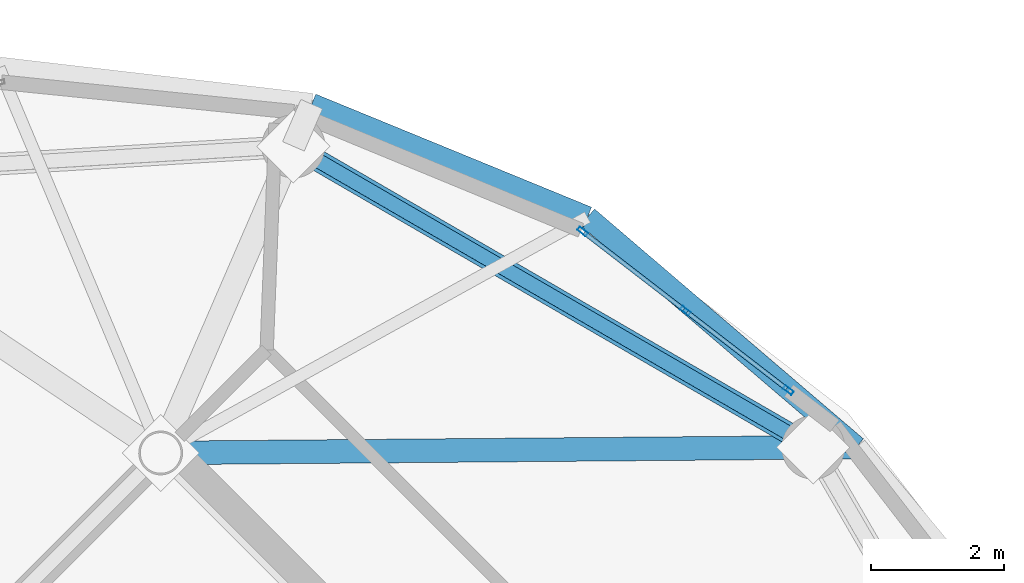
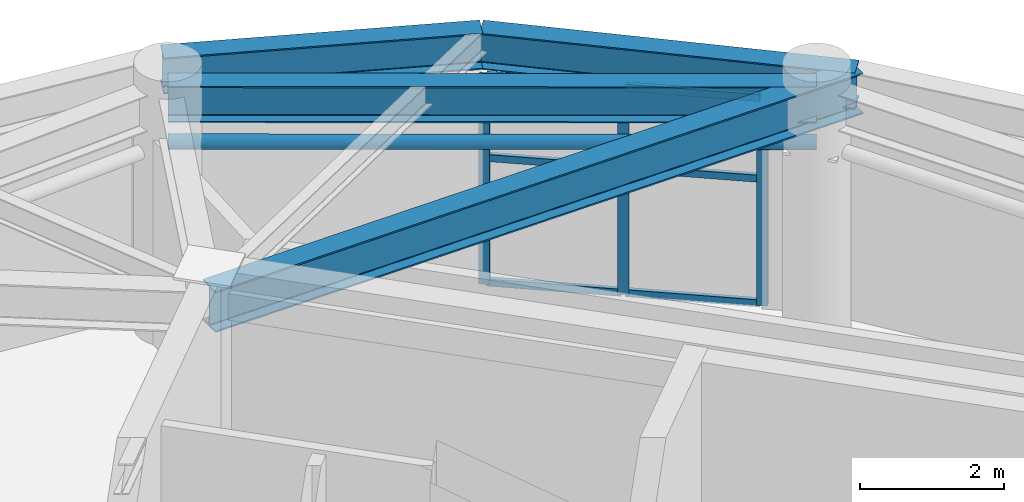
# One storey, part 18 of 26: 10 members, 4 beams, 1 element without a shape of its own.
"""IFC4 building model written with IfcOpenShell, lengths in metres."""

from ifc_helpers import new_model, si_unit, direction, frame, origin, origin_2d, place, context, subcontext, project, spatial, hollow_rectangle, hollow_circle, i_section, extrude, material, layer, layer_set, material_profile, profile_set, type_object, element, aggregate, save


model = new_model("IFC4")

# Units and contexts
model_context = context("Model", 3, precision=1e-05, world=origin(), true_north=direction((0.0, 1.0)))
body_context = subcontext(model_context, "Body", "Model", "MODEL_VIEW")
ifc_project = project(units=[si_unit("LENGTHUNIT", "METRE"), si_unit("AREAUNIT", "SQUARE_METRE"), si_unit("VOLUMEUNIT", "CUBIC_METRE"), si_unit("PLANEANGLEUNIT", "RADIAN"), si_unit("MASSUNIT", "GRAM", prefix="KILO")], contexts=[model_context])

# Site, building, storey
site_placement = place(None, origin())
site = spatial("IfcSite", under=ifc_project, at=site_placement, CompositionType="ELEMENT")
building_placement = place(site_placement, origin())
building = spatial("IfcBuilding", under=site, at=building_placement, Name="Cununo Teusaquillo Station Towers", CompositionType="ELEMENT")
storey_placement = place(building_placement, frame((0.0, 0.0, 240.330078125)))
storey = spatial("IfcBuildingStorey", under=building, at=storey_placement, Name="L76", CompositionType="ELEMENT", Elevation=240.330078125)

# Beams
ifc_material_1 = material(Name="Steel ASTM A572 Grade 50", Category="steel")
ifc_material_profile_1 = material_profile(ifc_material_1, i_section(OverallWidth=0.35498046875, OverallDepth=0.696044921875, WebThickness=0.015380859375, FlangeThickness=0.02490234375, FilletRadius=0.01806640625, at=origin_2d()), Name="W27X146")
ifc_profile_set_1 = profile_set([ifc_material_profile_1], Name="Steel ASTM A572 Grade 50")
beam_type_1 = type_object("IfcBeamType", Name="BM-PLNT-G1", PredefinedType="BEAM", material=ifc_profile_set_1)
beam_1_placement = place(storey_placement, frame((56.29443359375, 33.024169921875, 3.851806640625), z_axis=(0.999964325253, 0.008446787673, 0.0), x_axis=(-0.008446787673, 0.999964325253, 0.0)))
element("IfcBeam", 1, at=beam_1_placement, inside=storey, type_object=beam_type_1, Name="L76 Tower B Continuous Overhanging Radial Girder 01", PredefinedType="BEAM", context=body_context, shape_type="SweptSolid", body=[
    extrude(i_section(OverallWidth=0.35498046875, OverallDepth=0.696044921875, WebThickness=0.015380859375, FlangeThickness=0.02490234375, FilletRadius=0.01806640625, at=origin_2d()), origin(), (0.0, 0.0, 1.0), 10.463134765625),
])
ifc_material_2 = material(Name="Steel ASTM A572 Grade 50", Category="steel")
ifc_material_profile_2 = material_profile(ifc_material_2, i_section(OverallWidth=0.324951171875, OverallDepth=0.615966796875, WebThickness=0.013916015625, FlangeThickness=0.021484375, FilletRadius=0.01611328125, at=origin_2d()), Name="W24X117")
ifc_profile_set_2 = profile_set([ifc_material_profile_2], Name="Steel ASTM A572 Grade 50")
beam_type_2 = type_object("IfcBeamType", Name="BM-PLNT-G2", PredefinedType="BEAM", material=ifc_profile_set_2)
beam_2_placement = place(storey_placement, frame((66.10693359375, 33.10693359375, 3.891845703125), z_axis=(-0.865267103202, 0.501311121078, 0.0), x_axis=(-0.501311121078, -0.865267103202, 0.0)))
element("IfcBeam", 2, at=beam_2_placement, inside=storey, type_object=beam_type_2, Name="L76 Tower B Structural Column Ring Girder 01", PredefinedType="BEAM", context=body_context, shape_type="SweptSolid", body=[
    extrude(i_section(OverallWidth=0.324951171875, OverallDepth=0.615966796875, WebThickness=0.013916015625, FlangeThickness=0.021484375, FilletRadius=0.01611328125, at=origin_2d()), origin(), (0.0, 0.0, 1.0), 9.032958984375),
])
beam_3_placement = place(storey_placement, frame((66.757080078125, 33.112548828125, 3.891845703125), z_axis=(-0.760065778291, 0.649846145385, 0.0), x_axis=(-0.649846145385, -0.760065778291, 0.0)))
element("IfcBeam", 3, at=beam_3_placement, inside=storey, type_object=beam_type_2, Name="L76 Tower B Spandrel Ring Beam 01", PredefinedType="BEAM", context=body_context, shape_type="SweptSolid", body=[
    extrude(i_section(OverallWidth=0.324951171875, OverallDepth=0.615966796875, WebThickness=0.013916015625, FlangeThickness=0.021484375, FilletRadius=0.01611328125, at=origin_2d()), origin(), (0.0, 0.0, 1.0), 5.320556640625),
])
beam_4_placement = place(storey_placement, frame((62.713134765625, 36.570068359375, 3.891845703125), z_axis=(-0.925283830437, 0.379275405388, 0.0), x_axis=(-0.379275405388, -0.925283830437, 0.0)))
element("IfcBeam", 4, at=beam_4_placement, inside=storey, type_object=beam_type_2, Name="L76 Tower B Spandrel Ring Beam 02", PredefinedType="BEAM", context=body_context, shape_type="SweptSolid", body=[
    extrude(i_section(OverallWidth=0.324951171875, OverallDepth=0.615966796875, WebThickness=0.013916015625, FlangeThickness=0.021484375, FilletRadius=0.01611328125, at=origin_2d()), origin(), (0.0, 0.0, 1.0), 4.482177734375),
])

# Curtain wall, members
ifc_material_3 = material(Name="Ceramic-fritted dark low-E double glazing", Category="glass")
ifc_layer = layer(ifc_material_3, 0.179931640625)
ifc_layer_set = layer_set([ifc_layer], Name="Ceramic-fritted dark low-E double glazing")
curtain_wall_type = type_object("IfcCurtainWallType", Name="CW-SYS-08", PredefinedType="USERDEFINED", material=ifc_layer_set)
curtain_wall_placement = place(storey_placement, origin())
curtain_wall = element("IfcCurtainWall", 5, at=curtain_wall_placement, inside=storey, type_object=curtain_wall_type, Name="L76 Tower B Crown Drum Glazed Screen C00", ObjectType="FRITTED GLAZING", PredefinedType="USERDEFINED")
ifc_material_4 = material(Name="Anodised dark bronze aluminium EN AW-6063-T6", Category="aluminium")
ifc_material_profile_3 = material_profile(ifc_material_4, hollow_rectangle(XDim=0.06494140625, YDim=0.159912109375, WallThickness=0.00390625, at=origin_2d()), Name="CW-MULL-65x160")
ifc_profile_set_3 = profile_set([ifc_material_profile_3], Name="Anodised dark bronze aluminium EN AW-6063-T6")
member_type_1 = type_object("IfcMemberType", Name="CWM-160", PredefinedType="MULLION", material=ifc_profile_set_3)
member_1_placement = place(storey_placement, frame((62.63916015625, 36.35400390625, 0.0), z_axis=(0.0, 0.0, 1.0), x_axis=(0.610566119397, 0.791965285757, 0.0)))
member_1 = element("IfcMember", 6, at=member_1_placement, type_object=member_type_1, Name="CW-08 mullion 1", PredefinedType="MULLION", context=body_context, shape_type="SweptSolid", body=[
    extrude(hollow_rectangle(XDim=0.06494140625, YDim=0.159912109375, WallThickness=0.00390625, at=origin_2d()), origin(), (0.0, 0.0, 1.0), 3.555908203125),
])
member_2_placement = place(storey_placement, frame((64.185546875, 35.161865234375, 0.0), z_axis=(0.0, 0.0, 1.0), x_axis=(0.610566119397, 0.791965285757, 0.0)))
member_2 = element("IfcMember", 7, at=member_2_placement, type_object=member_type_1, Name="CW-08 mullion 2", PredefinedType="MULLION", context=body_context, shape_type="SweptSolid", body=[
    extrude(hollow_rectangle(XDim=0.06494140625, YDim=0.159912109375, WallThickness=0.00390625, at=origin_2d()), origin(), (0.0, 0.0, 1.0), 3.555908203125),
])
member_3_placement = place(storey_placement, frame((65.73193359375, 33.9697265625, 0.0), z_axis=(0.0, 0.0, 1.0), x_axis=(0.610566119397, 0.791965285757, 0.0)))
member_3 = element("IfcMember", 8, at=member_3_placement, type_object=member_type_1, Name="CW-08 mullion 3", PredefinedType="MULLION", context=body_context, shape_type="SweptSolid", body=[
    extrude(hollow_rectangle(XDim=0.06494140625, YDim=0.159912109375, WallThickness=0.00390625, at=origin_2d()), origin(), (0.0, 0.0, 1.0), 3.555908203125),
])
ifc_material_5 = material(Name="Anodised dark bronze aluminium EN AW-6063-T6", Category="aluminium")
ifc_material_profile_4 = material_profile(ifc_material_5, hollow_rectangle(XDim=0.06494140625, YDim=0.1201171875, WallThickness=0.00390625, at=origin_2d()), Name="CW-TRAN-65x120")
ifc_profile_set_4 = profile_set([ifc_material_profile_4], Name="Anodised dark bronze aluminium EN AW-6063-T6")
member_type_2 = type_object("IfcMemberType", Name="CWT-120", PredefinedType="USERDEFINED", material=ifc_profile_set_4)
member_4_placement = place(storey_placement, frame((62.664794921875, 36.334228515625, 0.032470703125), z_axis=(0.791935926807, -0.610604198997, 0.0), x_axis=(0.610604198997, 0.791935926807, 0.0)))
member_4 = element("IfcMember", 9, at=member_4_placement, type_object=member_type_2, Name="CW-08 transom 1.1", ObjectType="TRANSOM", PredefinedType="USERDEFINED", context=body_context, shape_type="SweptSolid", body=[
    extrude(hollow_rectangle(XDim=0.06494140625, YDim=0.1201171875, WallThickness=0.00390625, at=origin_2d()), origin(), (0.0, 0.0, 1.0), 1.8876953125),
])
member_5_placement = place(storey_placement, frame((62.664794921875, 36.334228515625, 2.14990234375), z_axis=(0.791935926807, -0.610604198997, 0.0), x_axis=(0.610604198997, 0.791935926807, 0.0)))
member_5 = element("IfcMember", 10, at=member_5_placement, type_object=member_type_2, Name="CW-08 transom 1.2", ObjectType="TRANSOM", PredefinedType="USERDEFINED", context=body_context, shape_type="SweptSolid", body=[
    extrude(hollow_rectangle(XDim=0.06494140625, YDim=0.1201171875, WallThickness=0.00390625, at=origin_2d()), origin(), (0.0, 0.0, 1.0), 1.8876953125),
])
member_6_placement = place(storey_placement, frame((62.664794921875, 36.334228515625, 3.5234375), z_axis=(0.791935926807, -0.610604198997, 0.0), x_axis=(0.610604198997, 0.791935926807, 0.0)))
member_6 = element("IfcMember", 11, at=member_6_placement, type_object=member_type_2, Name="CW-08 transom 1.3", ObjectType="TRANSOM", PredefinedType="USERDEFINED", context=body_context, shape_type="SweptSolid", body=[
    extrude(hollow_rectangle(XDim=0.06494140625, YDim=0.1201171875, WallThickness=0.00390625, at=origin_2d()), origin(), (0.0, 0.0, 1.0), 1.8876953125),
])
member_7_placement = place(storey_placement, frame((64.211181640625, 35.14208984375, 0.032470703125), z_axis=(0.791935926807, -0.610604198997, 0.0), x_axis=(0.610604198997, 0.791935926807, 0.0)))
member_7 = element("IfcMember", 12, at=member_7_placement, type_object=member_type_2, Name="CW-08 transom 2.1", ObjectType="TRANSOM", PredefinedType="USERDEFINED", context=body_context, shape_type="SweptSolid", body=[
    extrude(hollow_rectangle(XDim=0.06494140625, YDim=0.1201171875, WallThickness=0.00390625, at=origin_2d()), origin(), (0.0, 0.0, 1.0), 1.8876953125),
])
member_8_placement = place(storey_placement, frame((64.211181640625, 35.14208984375, 2.14990234375), z_axis=(0.791935926807, -0.610604198997, 0.0), x_axis=(0.610604198997, 0.791935926807, 0.0)))
member_8 = element("IfcMember", 13, at=member_8_placement, type_object=member_type_2, Name="CW-08 transom 2.2", ObjectType="TRANSOM", PredefinedType="USERDEFINED", context=body_context, shape_type="SweptSolid", body=[
    extrude(hollow_rectangle(XDim=0.06494140625, YDim=0.1201171875, WallThickness=0.00390625, at=origin_2d()), origin(), (0.0, 0.0, 1.0), 1.8876953125),
])
member_9_placement = place(storey_placement, frame((64.211181640625, 35.14208984375, 3.5234375), z_axis=(0.791935926807, -0.610604198997, 0.0), x_axis=(0.610604198997, 0.791935926807, 0.0)))
member_9 = element("IfcMember", 14, at=member_9_placement, type_object=member_type_2, Name="CW-08 transom 2.3", ObjectType="TRANSOM", PredefinedType="USERDEFINED", context=body_context, shape_type="SweptSolid", body=[
    extrude(hollow_rectangle(XDim=0.06494140625, YDim=0.1201171875, WallThickness=0.00390625, at=origin_2d()), origin(), (0.0, 0.0, 1.0), 1.8876953125),
])
aggregate(curtain_wall, [member_1, member_2, member_3, member_4, member_5, member_6, member_7, member_8, member_9])

# Member
ifc_material_6 = material(Name="Steel EN 10025-2 S355J2", Category="steel")
ifc_material_profile_5 = material_profile(ifc_material_6, hollow_circle(Radius=0.109619140625, WallThickness=0.010009765625, at=origin_2d()), Name="CHS 219x10")
ifc_profile_set_5 = profile_set([ifc_material_profile_5], Name="Steel EN 10025-2 S355J2")
member_type_3 = type_object("IfcMemberType", Name="MBR-DRUM-COL", PredefinedType="COLLAR", material=ifc_profile_set_5)
member_10_placement = place(storey_placement, frame((66.10693359375, 33.10693359375, 3.14990234375), z_axis=(-0.865267103202, 0.501311121078, 0.0), x_axis=(-0.501311121078, -0.865267103202, 0.0)))
element("IfcMember", 15, at=member_10_placement, inside=storey, type_object=member_type_3, Name="L76 Tower B Crown Drum Collar 01", PredefinedType="COLLAR", context=body_context, shape_type="SweptSolid", body=[
    extrude(hollow_circle(Radius=0.109619140625, WallThickness=0.010009765625, at=origin_2d()), origin(), (0.0, 0.0, 1.0), 9.032958984375),
])

save(model, "model.ifc")
